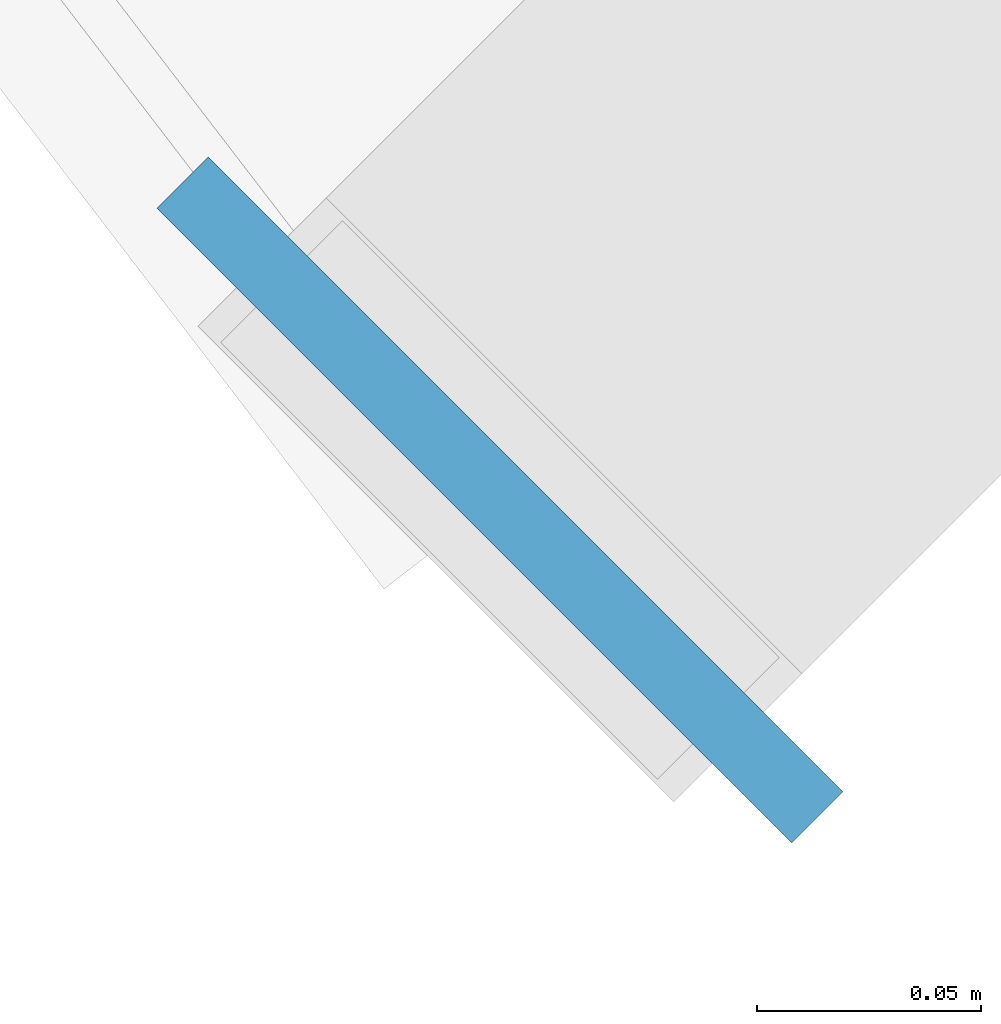
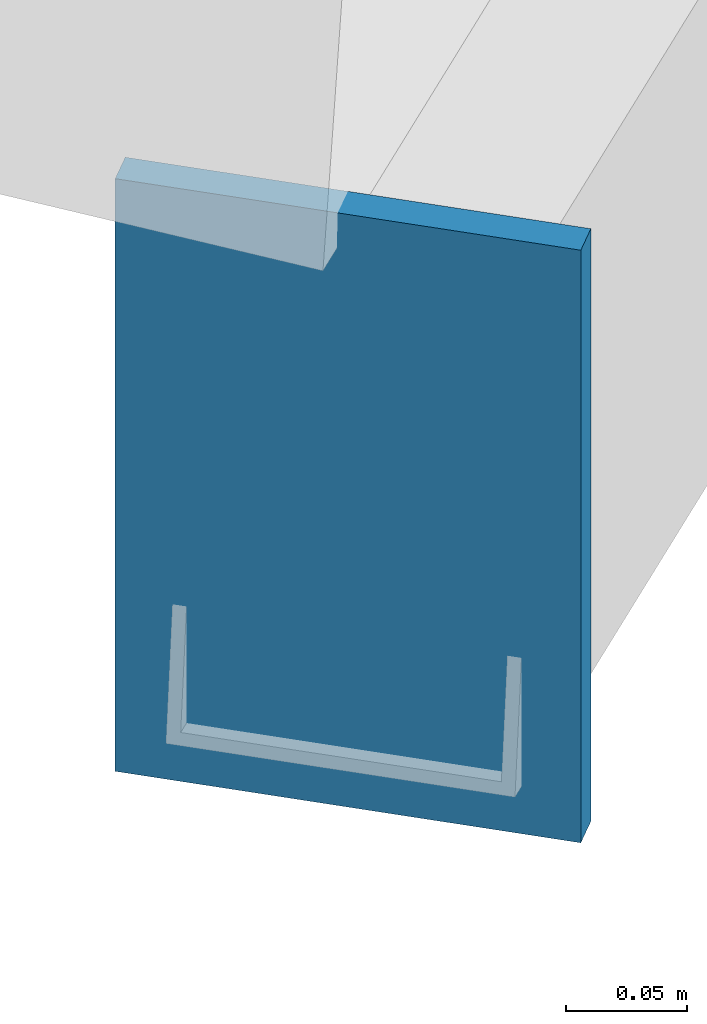
# One storey, part 40 of 70: 1 plate.
"""IFC4 building model written with IfcOpenShell, lengths in metres."""

from ifc_helpers import new_model, si_unit, direction, frame, origin, origin_2d, place, context, subcontext, project, spatial, rectangle, extrude, material, layer, layer_set, type_object, element, save


model = new_model("IFC4")

# Units and contexts
model_context = context("Model", 3, precision=1e-05, world=origin(), true_north=direction((0.0, 1.0)))
body_context = subcontext(model_context, "Body", "Model", "MODEL_VIEW")
ifc_project = project(units=[si_unit("LENGTHUNIT", "METRE"), si_unit("AREAUNIT", "SQUARE_METRE"), si_unit("VOLUMEUNIT", "CUBIC_METRE"), si_unit("PLANEANGLEUNIT", "RADIAN"), si_unit("MASSUNIT", "GRAM", prefix="KILO")], contexts=[model_context])

# Site, building, storey
site_placement = place(None, origin())
site = spatial("IfcSite", under=ifc_project, at=site_placement, CompositionType="ELEMENT")
building_placement = place(site_placement, origin())
building = spatial("IfcBuilding", under=site, at=building_placement, Name="Vondelvale Polytechnic", CompositionType="ELEMENT")
storey_placement = place(building_placement, frame((0.0, 0.0, 22.199951171875)))
storey = spatial("IfcBuildingStorey", under=building, at=storey_placement, Name="L05", CompositionType="ELEMENT", Elevation=22.199951171875)

# Plate
ifc_material = material(Name="Steel Grade 350 (fy = 340 MPa)", Category="steel")
ifc_layer = layer(ifc_material, 0.01611328125)
ifc_layer_set = layer_set([ifc_layer], Name="PLATE-CAP-300x200")
plate_type = type_object("IfcPlateType", Name="PLATE-CAP-300x200", PredefinedType="USERDEFINED", material=ifc_layer_set)
plate_placement = place(storey_placement, frame((67.634521484375, 37.634521484375, 3.61572265625), z_axis=(0.0, 0.0, 1.0), x_axis=(0.707106781187, 0.707106781187, 0.0)))
element("IfcPlate", 1, at=plate_placement, inside=storey, type_object=plate_type, Name="Ring step rafter end cap plate 14O", ObjectType="CAP_PLATE", PredefinedType="USERDEFINED", context=body_context, shape_type="SweptSolid", body=[
    extrude(rectangle(XDim=0.01611328125, YDim=0.199951171875, at=origin_2d()), origin(), (0.0, 0.0, 1.0), 0.300048828125),
])

save(model, "model.ifc")
